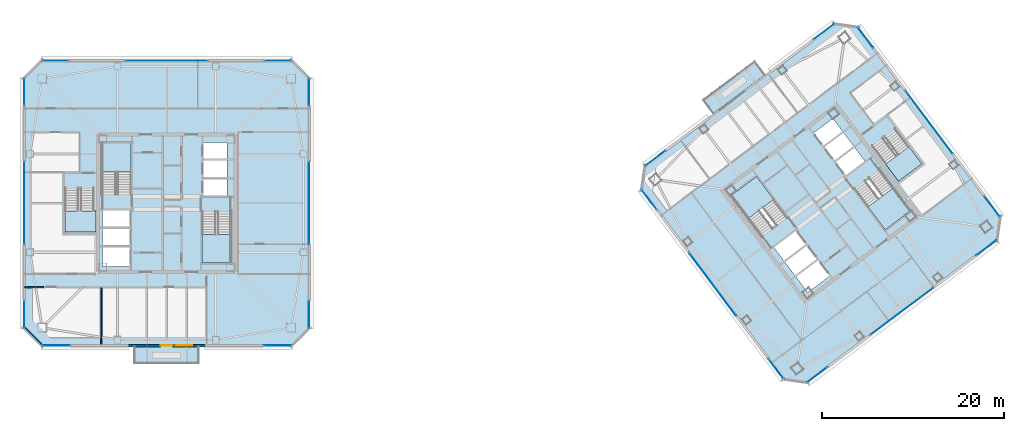
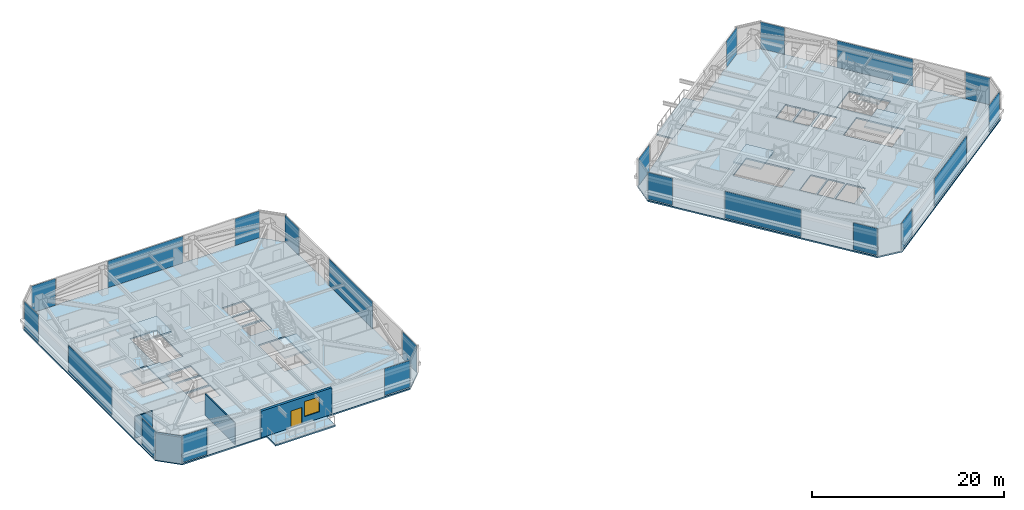
# One storey, part 25 of 36: 22 plates, 10 slabs, 4 walls, 1 door, 1 window, 2 openings, 28 elements without a shape of their own.
"""IFC4 building model written with IfcOpenShell, lengths in metres."""

from ifc_helpers import new_model, si_unit, direction, frame, frame_2d, origin, origin_2d, place, context, subcontext, project, spatial, polyline, rectangle, outline, extrude, material, layer, layer_set, type_object, element, fill, aggregate, save


model = new_model("IFC4")

# Units and contexts
model_context = context("Model", 3, precision=1e-05, world=origin(), true_north=direction((0.0, 1.0)))
body_context = subcontext(model_context, "Body", "Model", "MODEL_VIEW")
ifc_project = project(units=[si_unit("LENGTHUNIT", "METRE"), si_unit("AREAUNIT", "SQUARE_METRE"), si_unit("VOLUMEUNIT", "CUBIC_METRE"), si_unit("PLANEANGLEUNIT", "RADIAN"), si_unit("MASSUNIT", "GRAM", prefix="KILO")], contexts=[model_context])

# Site, building, storey
site_placement = place(None, origin())
site = spatial("IfcSite", under=ifc_project, at=site_placement, CompositionType="ELEMENT")
building_placement = place(site_placement, origin())
building = spatial("IfcBuilding", under=site, at=building_placement, Name="Tashvorn Skyway Center", CompositionType="ELEMENT")
storey_placement = place(building_placement, frame((0.0, 0.0, 236.14990234375)))
storey = spatial("IfcBuildingStorey", under=building, at=storey_placement, Name="L64", CompositionType="ELEMENT", Elevation=236.14990234375)

# Curtain wall, plate
ifc_material_1 = material(Name="Thermally broken bronze-anodized aluminium 6063-T6", Category="aluminium")
curtain_wall_type = type_object("IfcCurtainWallType", Name="CW-CW-Z5", PredefinedType="NOTDEFINED", material=ifc_material_1)
curtain_wall_1_placement = place(storey_placement, origin())
curtain_wall_1 = element("IfcCurtainWall", 1, at=curtain_wall_1_placement, inside=storey, type_object=curtain_wall_type, Name="Tower 1 L64 South Curtain Wall L Glazing Group 1", PredefinedType="NOTDEFINED")
ifc_material_2 = material(Name="Low-E solar-control double insulating safety glass", Category="glass")
ifc_layer_1 = layer(ifc_material_2, 0.031982421875)
ifc_layer_set_1 = layer_set([ifc_layer_1], Name="Low-E solar-control double insulating safety glass")
plate_type = type_object("IfcPlateType", Name="CWP-CW-Z5", PredefinedType="CURTAIN_PANEL", material=ifc_layer_set_1)
plate_1_placement = place(storey_placement, frame((54.191650390625, 16.320068359375, 0.0703125), z_axis=(0.0, 0.0, 1.0), x_axis=(-1.0, 0.0, 0.0)))
plate_1 = element("IfcPlate", 2, at=plate_1_placement, type_object=plate_type, Name="CW-Z5 panel 1.1", PredefinedType="CURTAIN_PANEL", context=body_context, shape_type="SweptSolid", body=[
    extrude(rectangle(XDim=3.03662109375, YDim=0.031982421875, at=origin_2d()), origin(), (0.0, 0.0, 1.0), 3.409912109375),
])
aggregate(curtain_wall_1, [plate_1])

curtain_wall_2_placement = place(storey_placement, origin())
curtain_wall_2 = element("IfcCurtainWall", 3, at=curtain_wall_2_placement, inside=storey, type_object=curtain_wall_type, Name="Tower 1 L64 South Curtain Wall R Glazing Group 1", PredefinedType="NOTDEFINED")
plate_2_placement = place(storey_placement, frame((29.808349609375, 16.320068359375, 0.0703125), z_axis=(0.0, 0.0, 1.0), x_axis=(-1.0, 0.0, 0.0)))
plate_2 = element("IfcPlate", 4, at=plate_2_placement, type_object=plate_type, Name="CW-Z5 panel 1.1", PredefinedType="CURTAIN_PANEL", context=body_context, shape_type="SweptSolid", body=[
    extrude(rectangle(XDim=3.03662109375, YDim=0.031982421875, at=origin_2d()), origin(), (0.0, 0.0, 1.0), 3.409912109375),
])
aggregate(curtain_wall_2, [plate_2])

curtain_wall_3_placement = place(storey_placement, origin())
curtain_wall_3 = element("IfcCurtainWall", 5, at=curtain_wall_3_placement, inside=storey, type_object=curtain_wall_type, Name="Tower 1 L64 West Unitised Curtain Wall Glazing Group 1", PredefinedType="NOTDEFINED")
plate_3_placement = place(storey_placement, frame((26.320068359375, 19.751220703125, 0.0703125), z_axis=(0.0, 0.0, 1.0), x_axis=(0.0, 1.0, 0.0)))
plate_3 = element("IfcPlate", 6, at=plate_3_placement, type_object=plate_type, Name="CW-Z5 panel 1.1", PredefinedType="CURTAIN_PANEL", context=body_context, shape_type="SweptSolid", body=[
    extrude(rectangle(XDim=2.922119140625, YDim=0.031982421875, at=origin_2d()), origin(), (0.0, 0.0, 1.0), 3.409912109375),
])
aggregate(curtain_wall_3, [plate_3])

curtain_wall_4_placement = place(storey_placement, origin())
curtain_wall_4 = element("IfcCurtainWall", 7, at=curtain_wall_4_placement, inside=storey, type_object=curtain_wall_type, Name="Tower 1 L64 West Unitised Curtain Wall Glazing Group 2", PredefinedType="NOTDEFINED")
plate_4_placement = place(storey_placement, frame((26.320068359375, 32.0, 0.0703125), z_axis=(0.0, 0.0, 1.0), x_axis=(0.0, 1.0, 0.0)))
plate_4 = element("IfcPlate", 8, at=plate_4_placement, type_object=plate_type, Name="CW-Z5 panel 1.1", PredefinedType="CURTAIN_PANEL", context=body_context, shape_type="SweptSolid", body=[
    extrude(rectangle(XDim=9.046630859375, YDim=0.031982421875, at=origin_2d()), origin(), (0.0, 0.0, 1.0), 3.409912109375),
])
aggregate(curtain_wall_4, [plate_4])

curtain_wall_5_placement = place(storey_placement, origin())
curtain_wall_5 = element("IfcCurtainWall", 9, at=curtain_wall_5_placement, inside=storey, type_object=curtain_wall_type, Name="Tower 1 L64 West Unitised Curtain Wall Glazing Group 3", PredefinedType="NOTDEFINED")
plate_5_placement = place(storey_placement, frame((26.320068359375, 44.248779296875, 0.0703125), z_axis=(0.0, 0.0, 1.0), x_axis=(0.0, 1.0, 0.0)))
plate_5 = element("IfcPlate", 10, at=plate_5_placement, type_object=plate_type, Name="CW-Z5 panel 1.1", PredefinedType="CURTAIN_PANEL", context=body_context, shape_type="SweptSolid", body=[
    extrude(rectangle(XDim=2.922119140625, YDim=0.031982421875, at=origin_2d()), origin(), (0.0, 0.0, 1.0), 3.409912109375),
])
aggregate(curtain_wall_5, [plate_5])

curtain_wall_6_placement = place(storey_placement, origin())
curtain_wall_6 = element("IfcCurtainWall", 11, at=curtain_wall_6_placement, inside=storey, type_object=curtain_wall_type, Name="Tower 1 L64 North Unitised Curtain Wall Glazing Group 1", PredefinedType="NOTDEFINED")
plate_6_placement = place(storey_placement, frame((29.751220703125, 47.679931640625, 0.0703125), z_axis=(0.0, 0.0, 1.0), x_axis=(1.0, 0.0, 0.0)))
plate_6 = element("IfcPlate", 12, at=plate_6_placement, type_object=plate_type, Name="CW-Z5 panel 1.1", PredefinedType="CURTAIN_PANEL", context=body_context, shape_type="SweptSolid", body=[
    extrude(rectangle(XDim=2.922119140625, YDim=0.031982421875, at=origin_2d()), origin(), (0.0, 0.0, 1.0), 3.409912109375),
])
aggregate(curtain_wall_6, [plate_6])

curtain_wall_7_placement = place(storey_placement, origin())
curtain_wall_7 = element("IfcCurtainWall", 13, at=curtain_wall_7_placement, inside=storey, type_object=curtain_wall_type, Name="Tower 1 L64 North Unitised Curtain Wall Glazing Group 2", PredefinedType="NOTDEFINED")
plate_7_placement = place(storey_placement, frame((42.0, 47.679931640625, 0.0703125), z_axis=(0.0, 0.0, 1.0), x_axis=(1.0, 0.0, 0.0)))
plate_7 = element("IfcPlate", 14, at=plate_7_placement, type_object=plate_type, Name="CW-Z5 panel 1.1", PredefinedType="CURTAIN_PANEL", context=body_context, shape_type="SweptSolid", body=[
    extrude(rectangle(XDim=9.046630859375, YDim=0.031982421875, at=origin_2d()), origin(), (0.0, 0.0, 1.0), 3.409912109375),
])
aggregate(curtain_wall_7, [plate_7])

curtain_wall_8_placement = place(storey_placement, origin())
curtain_wall_8 = element("IfcCurtainWall", 15, at=curtain_wall_8_placement, inside=storey, type_object=curtain_wall_type, Name="Tower 1 L64 North Unitised Curtain Wall Glazing Group 3", PredefinedType="NOTDEFINED")
plate_8_placement = place(storey_placement, frame((54.248779296875, 47.679931640625, 0.0703125), z_axis=(0.0, 0.0, 1.0), x_axis=(1.0, 0.0, 0.0)))
plate_8 = element("IfcPlate", 16, at=plate_8_placement, type_object=plate_type, Name="CW-Z5 panel 1.1", PredefinedType="CURTAIN_PANEL", context=body_context, shape_type="SweptSolid", body=[
    extrude(rectangle(XDim=2.922119140625, YDim=0.031982421875, at=origin_2d()), origin(), (0.0, 0.0, 1.0), 3.409912109375),
])
aggregate(curtain_wall_8, [plate_8])

curtain_wall_9_placement = place(storey_placement, origin())
curtain_wall_9 = element("IfcCurtainWall", 17, at=curtain_wall_9_placement, inside=storey, type_object=curtain_wall_type, Name="Tower 1 L64 East Unitised Curtain Wall Glazing Group 1", PredefinedType="NOTDEFINED")
plate_9_placement = place(storey_placement, frame((57.679931640625, 44.248779296875, 0.0703125), z_axis=(0.0, 0.0, 1.0), x_axis=(0.0, -1.0, 0.0)))
plate_9 = element("IfcPlate", 18, at=plate_9_placement, type_object=plate_type, Name="CW-Z5 panel 1.1", PredefinedType="CURTAIN_PANEL", context=body_context, shape_type="SweptSolid", body=[
    extrude(rectangle(XDim=2.922119140625, YDim=0.031982421875, at=origin_2d()), origin(), (0.0, 0.0, 1.0), 3.409912109375),
])
aggregate(curtain_wall_9, [plate_9])

curtain_wall_10_placement = place(storey_placement, origin())
curtain_wall_10 = element("IfcCurtainWall", 19, at=curtain_wall_10_placement, inside=storey, type_object=curtain_wall_type, Name="Tower 1 L64 East Unitised Curtain Wall Glazing Group 2", PredefinedType="NOTDEFINED")
plate_10_placement = place(storey_placement, frame((57.679931640625, 32.0, 0.0703125), z_axis=(0.0, 0.0, 1.0), x_axis=(0.0, -1.0, 0.0)))
plate_10 = element("IfcPlate", 20, at=plate_10_placement, type_object=plate_type, Name="CW-Z5 panel 1.1", PredefinedType="CURTAIN_PANEL", context=body_context, shape_type="SweptSolid", body=[
    extrude(rectangle(XDim=9.046630859375, YDim=0.031982421875, at=origin_2d()), origin(), (0.0, 0.0, 1.0), 3.409912109375),
])
aggregate(curtain_wall_10, [plate_10])

curtain_wall_11_placement = place(storey_placement, origin())
curtain_wall_11 = element("IfcCurtainWall", 21, at=curtain_wall_11_placement, inside=storey, type_object=curtain_wall_type, Name="Tower 1 L64 East Unitised Curtain Wall Glazing Group 3", PredefinedType="NOTDEFINED")
plate_11_placement = place(storey_placement, frame((57.679931640625, 19.751220703125, 0.0703125), z_axis=(0.0, 0.0, 1.0), x_axis=(0.0, -1.0, 0.0)))
plate_11 = element("IfcPlate", 22, at=plate_11_placement, type_object=plate_type, Name="CW-Z5 panel 1.1", PredefinedType="CURTAIN_PANEL", context=body_context, shape_type="SweptSolid", body=[
    extrude(rectangle(XDim=2.922119140625, YDim=0.031982421875, at=origin_2d()), origin(), (0.0, 0.0, 1.0), 3.409912109375),
])
aggregate(curtain_wall_11, [plate_11])

curtain_wall_12_placement = place(storey_placement, origin())
curtain_wall_12 = element("IfcCurtainWall", 23, at=curtain_wall_12_placement, inside=storey, type_object=curtain_wall_type, Name="Tower 2 L64 South Unitised Curtain Wall Glazing Group 1", PredefinedType="NOTDEFINED")
plate_12_placement = place(storey_placement, frame((132.229248046875, 27.072021484375, 0.0703125), z_axis=(0.0, 0.0, 1.0), x_axis=(-0.799995871508, -0.600005504617, 0.0)))
plate_12 = element("IfcPlate", 24, at=plate_12_placement, type_object=plate_type, Name="CW-Z5 panel 1.1", PredefinedType="CURTAIN_PANEL", context=body_context, shape_type="SweptSolid", body=[
    extrude(rectangle(XDim=2.7666015625, YDim=0.031982421875, at=origin_2d()), origin(), (0.0, 0.0, 1.0), 3.409912109375),
])
aggregate(curtain_wall_12, [plate_12])

curtain_wall_13_placement = place(storey_placement, origin())
curtain_wall_13 = element("IfcCurtainWall", 25, at=curtain_wall_13_placement, inside=storey, type_object=curtain_wall_type, Name="Tower 2 L64 South Unitised Curtain Wall Glazing Group 2", PredefinedType="NOTDEFINED")
plate_13_placement = place(storey_placement, frame((122.927978515625, 20.095947265625, 0.0703125), z_axis=(0.0, 0.0, 1.0), x_axis=(-0.799999999998, -0.600000000002, 0.0)))
plate_13 = element("IfcPlate", 26, at=plate_13_placement, type_object=plate_type, Name="CW-Z5 panel 1.1", PredefinedType="CURTAIN_PANEL", context=body_context, shape_type="SweptSolid", body=[
    extrude(rectangle(XDim=8.580078125, YDim=0.031982421875, at=origin_2d()), origin(), (0.0, 0.0, 1.0), 3.409912109375),
])
aggregate(curtain_wall_13, [plate_13])

curtain_wall_14_placement = place(storey_placement, origin())
curtain_wall_14 = element("IfcCurtainWall", 27, at=curtain_wall_14_placement, inside=storey, type_object=curtain_wall_type, Name="Tower 2 L64 South Unitised Curtain Wall Glazing Group 3", PredefinedType="NOTDEFINED")
plate_14_placement = place(storey_placement, frame((113.626708984375, 13.1201171875, 0.0703125), z_axis=(0.0, 0.0, 1.0), x_axis=(-0.799995871508, -0.600005504617, 0.0)))
plate_14 = element("IfcPlate", 28, at=plate_14_placement, type_object=plate_type, Name="CW-Z5 panel 1.1", PredefinedType="CURTAIN_PANEL", context=body_context, shape_type="SweptSolid", body=[
    extrude(rectangle(XDim=2.7666015625, YDim=0.031982421875, at=origin_2d()), origin(), (0.0, 0.0, 1.0), 3.409912109375),
])
aggregate(curtain_wall_14, [plate_14])

curtain_wall_15_placement = place(storey_placement, origin())
curtain_wall_15 = element("IfcCurtainWall", 29, at=curtain_wall_15_placement, inside=storey, type_object=curtain_wall_type, Name="Tower 2 L64 West Unitised Curtain Wall Glazing Group 1", PredefinedType="NOTDEFINED")
plate_15_placement = place(storey_placement, frame((109.072021484375, 13.770751953125, 0.0703125), z_axis=(0.0, 0.0, 1.0), x_axis=(-0.600005504617, 0.799995871508, 0.0)))
plate_15 = element("IfcPlate", 30, at=plate_15_placement, type_object=plate_type, Name="CW-Z5 panel 1.1", PredefinedType="CURTAIN_PANEL", context=body_context, shape_type="SweptSolid", body=[
    extrude(rectangle(XDim=2.7666015625, YDim=0.031982421875, at=origin_2d()), origin(), (0.0, 0.0, 1.0), 3.409912109375),
])
aggregate(curtain_wall_15, [plate_15])

curtain_wall_16_placement = place(storey_placement, origin())
curtain_wall_16 = element("IfcCurtainWall", 31, at=curtain_wall_16_placement, inside=storey, type_object=curtain_wall_type, Name="Tower 2 L64 West Unitised Curtain Wall Glazing Group 2", PredefinedType="NOTDEFINED")
plate_16_placement = place(storey_placement, frame((102.095947265625, 23.072021484375, 0.0703125), z_axis=(0.0, 0.0, 1.0), x_axis=(-0.600000000002, 0.799999999998, 0.0)))
plate_16 = element("IfcPlate", 32, at=plate_16_placement, type_object=plate_type, Name="CW-Z5 panel 1.1", PredefinedType="CURTAIN_PANEL", context=body_context, shape_type="SweptSolid", body=[
    extrude(rectangle(XDim=8.580078125, YDim=0.031982421875, at=origin_2d()), origin(), (0.0, 0.0, 1.0), 3.409912109375),
])
aggregate(curtain_wall_16, [plate_16])

curtain_wall_17_placement = place(storey_placement, origin())
curtain_wall_17 = element("IfcCurtainWall", 33, at=curtain_wall_17_placement, inside=storey, type_object=curtain_wall_type, Name="Tower 2 L64 West Unitised Curtain Wall Glazing Group 3", PredefinedType="NOTDEFINED")
plate_17_placement = place(storey_placement, frame((95.1201171875, 32.373291015625, 0.0703125), z_axis=(0.0, 0.0, 1.0), x_axis=(-0.600005504617, 0.799995871508, 0.0)))
plate_17 = element("IfcPlate", 34, at=plate_17_placement, type_object=plate_type, Name="CW-Z5 panel 1.1", PredefinedType="CURTAIN_PANEL", context=body_context, shape_type="SweptSolid", body=[
    extrude(rectangle(XDim=2.7666015625, YDim=0.031982421875, at=origin_2d()), origin(), (0.0, 0.0, 1.0), 3.409912109375),
])
aggregate(curtain_wall_17, [plate_17])

curtain_wall_18_placement = place(storey_placement, origin())
curtain_wall_18 = element("IfcCurtainWall", 35, at=curtain_wall_18_placement, inside=storey, type_object=curtain_wall_type, Name="Tower 2 L64 North Curtain Wall L Glazing Group 1", PredefinedType="NOTDEFINED")
plate_18_placement = place(storey_placement, frame((95.785400390625, 36.93896484375, 0.0703125), z_axis=(0.0, 0.0, 1.0), x_axis=(0.80000407695, 0.599994564028, 0.0)))
plate_18 = element("IfcPlate", 36, at=plate_18_placement, type_object=plate_type, Name="CW-Z5 panel 1.1", PredefinedType="CURTAIN_PANEL", context=body_context, shape_type="SweptSolid", body=[
    extrude(rectangle(XDim=2.803466796875, YDim=0.031982421875, at=origin_2d()), origin(), (0.0, 0.0, 1.0), 3.409912109375),
])
aggregate(curtain_wall_18, [plate_18])

curtain_wall_19_placement = place(storey_placement, origin())
curtain_wall_19 = element("IfcCurtainWall", 37, at=curtain_wall_19_placement, inside=storey, type_object=curtain_wall_type, Name="Tower 2 L64 North Curtain Wall R Glazing Group 1", PredefinedType="NOTDEFINED")
plate_19_placement = place(storey_placement, frame((114.358642578125, 50.868896484375, 0.0703125), z_axis=(0.0, 0.0, 1.0), x_axis=(0.80000407695, 0.599994564028, 0.0)))
plate_19 = element("IfcPlate", 38, at=plate_19_placement, type_object=plate_type, Name="CW-Z5 panel 1.1", PredefinedType="CURTAIN_PANEL", context=body_context, shape_type="SweptSolid", body=[
    extrude(rectangle(XDim=2.803466796875, YDim=0.031982421875, at=origin_2d()), origin(), (0.0, 0.0, 1.0), 3.409912109375),
])
aggregate(curtain_wall_19, [plate_19])

curtain_wall_20_placement = place(storey_placement, origin())
curtain_wall_20 = element("IfcCurtainWall", 39, at=curtain_wall_20_placement, inside=storey, type_object=curtain_wall_type, Name="Tower 2 L64 East Unitised Curtain Wall Glazing Group 1", PredefinedType="NOTDEFINED")
plate_20_placement = place(storey_placement, frame((118.927978515625, 50.229248046875, 0.0703125), z_axis=(0.0, 0.0, 1.0), x_axis=(0.600005504617, -0.799995871508, 0.0)))
plate_20 = element("IfcPlate", 40, at=plate_20_placement, type_object=plate_type, Name="CW-Z5 panel 1.1", PredefinedType="CURTAIN_PANEL", context=body_context, shape_type="SweptSolid", body=[
    extrude(rectangle(XDim=2.7666015625, YDim=0.031982421875, at=origin_2d()), origin(), (0.0, 0.0, 1.0), 3.409912109375),
])
aggregate(curtain_wall_20, [plate_20])

curtain_wall_21_placement = place(storey_placement, origin())
curtain_wall_21 = element("IfcCurtainWall", 41, at=curtain_wall_21_placement, inside=storey, type_object=curtain_wall_type, Name="Tower 2 L64 East Unitised Curtain Wall Glazing Group 2", PredefinedType="NOTDEFINED")
plate_21_placement = place(storey_placement, frame((125.904052734375, 40.927978515625, 0.0703125), z_axis=(0.0, 0.0, 1.0), x_axis=(0.600000000002, -0.799999999998, 0.0)))
plate_21 = element("IfcPlate", 42, at=plate_21_placement, type_object=plate_type, Name="CW-Z5 panel 1.1", PredefinedType="CURTAIN_PANEL", context=body_context, shape_type="SweptSolid", body=[
    extrude(rectangle(XDim=8.580078125, YDim=0.031982421875, at=origin_2d()), origin(), (0.0, 0.0, 1.0), 3.409912109375),
])
aggregate(curtain_wall_21, [plate_21])

curtain_wall_22_placement = place(storey_placement, origin())
curtain_wall_22 = element("IfcCurtainWall", 43, at=curtain_wall_22_placement, inside=storey, type_object=curtain_wall_type, Name="Tower 2 L64 East Unitised Curtain Wall Glazing Group 3", PredefinedType="NOTDEFINED")
plate_22_placement = place(storey_placement, frame((132.8798828125, 31.626708984375, 0.0703125), z_axis=(0.0, 0.0, 1.0), x_axis=(0.600005504617, -0.799995871508, 0.0)))
plate_22 = element("IfcPlate", 44, at=plate_22_placement, type_object=plate_type, Name="CW-Z5 panel 1.1", PredefinedType="CURTAIN_PANEL", context=body_context, shape_type="SweptSolid", body=[
    extrude(rectangle(XDim=2.7666015625, YDim=0.031982421875, at=origin_2d()), origin(), (0.0, 0.0, 1.0), 3.409912109375),
])
aggregate(curtain_wall_22, [plate_22])

# Slabs
ifc_material_3 = material(Name="Concrete C40/50", Category="concrete")
ifc_layer_2 = layer(ifc_material_3, 0.179931640625)
ifc_layer_set_2 = layer_set([ifc_layer_2], Name="Concrete C40/50")
slab_type_1 = type_object("IfcSlabType", Name="SLAB-FLR-180", PredefinedType="FLOOR", material=ifc_layer_set_2)
slab_1_placement = place(storey_placement, frame((0.0, 0.0, -0.179931640625)))
element("IfcSlab", 45, at=slab_1_placement, inside=storey, type_object=slab_type_1, Name="Tower 1 L64 Composite Floor Slab", PredefinedType="FLOOR", context=body_context, shape_type="SweptSolid", body=[
    extrude(outline(polyline([(28.300048828125, 16.199951171875), (55.699951171875, 16.199951171875), (57.800048828125, 18.300048828125), (57.800048828125, 45.699951171875), (55.699951171875, 47.800048828125), (28.300048828125, 47.800048828125), (26.199951171875, 45.699951171875), (26.199951171875, 18.300048828125), (28.300048828125, 16.199951171875)]), holes=[polyline([(38.10009765625, 33.080078125), (38.10009765625, 38.60009765625), (34.89990234375, 38.60009765625), (34.89990234375, 33.080078125), (38.10009765625, 33.080078125)]), polyline([(45.89990234375, 30.919921875), (45.89990234375, 25.39990234375), (49.10009765625, 25.39990234375), (49.10009765625, 30.919921875), (45.89990234375, 30.919921875)]), polyline([(30.800048828125, 33.52001953125), (30.800048828125, 28.800048828125), (34.0, 28.800048828125), (34.0, 33.52001953125), (30.800048828125, 33.52001953125)]), polyline([(34.949951171875, 29.35009765625), (37.949951171875, 29.35009765625), (37.949951171875, 31.199951171875), (34.949951171875, 31.199951171875), (34.949951171875, 29.35009765625)]), polyline([(34.949951171875, 27.35009765625), (37.949951171875, 27.35009765625), (37.949951171875, 29.199951171875), (34.949951171875, 29.199951171875), (34.949951171875, 27.35009765625)]), polyline([(34.949951171875, 25.0), (37.949951171875, 25.0), (37.949951171875, 27.14990234375), (34.949951171875, 27.14990234375), (34.949951171875, 25.0)]), polyline([(46.050048828125, 32.800048828125), (48.64990234375, 32.800048828125), (48.64990234375, 34.64990234375), (46.050048828125, 34.64990234375), (46.050048828125, 32.800048828125)]), polyline([(46.050048828125, 34.85009765625), (48.64990234375, 34.85009765625), (48.64990234375, 36.699951171875), (46.050048828125, 36.699951171875), (46.050048828125, 34.85009765625)]), polyline([(46.050048828125, 36.89990234375), (48.64990234375, 36.89990234375), (48.64990234375, 38.64990234375), (46.050048828125, 38.64990234375), (46.050048828125, 36.89990234375)])]), origin(), (0.0, 0.0, 1.0), 0.179931640625),
])
slab_2_placement = place(storey_placement, frame((0.0, 0.0, -0.179931640625)))
element("IfcSlab", 46, at=slab_2_placement, inside=storey, type_object=slab_type_1, Name="Tower 2 L64 Composite Floor Slab", PredefinedType="FLOOR", context=body_context, shape_type="SweptSolid", body=[
    extrude(outline(polyline([(112.60009765625, 12.199951171875), (133.39990234375, 27.800048828125), (133.800048828125, 30.60009765625), (118.199951171875, 51.39990234375), (115.39990234375, 51.800048828125), (94.60009765625, 36.199951171875), (94.199951171875, 33.39990234375), (109.800048828125, 12.60009765625), (112.60009765625, 12.199951171875)]), holes=[polyline([(110.23193359375, 30.52392578125), (106.919921875, 34.93994140625), (104.135986328125, 32.85205078125), (107.447998046875, 28.43603515625), (110.23193359375, 30.52392578125)]), polyline([(117.76806640625, 33.47607421875), (121.080078125, 29.06005859375), (123.864013671875, 31.14794921875), (120.552001953125, 35.56396484375), (117.76806640625, 33.47607421875)]), polyline([(119.7119140625, 38.18408203125), (122.5439453125, 34.407958984375), (125.10400390625, 36.327880859375), (122.27197265625, 40.10400390625), (119.7119140625, 38.18408203125)]), polyline([(109.949951171875, 25.64990234375), (112.35009765625, 27.449951171875), (111.239990234375, 28.929931640625), (108.840087890625, 27.1298828125), (109.949951171875, 25.64990234375)]), polyline([(111.14990234375, 24.050048828125), (113.550048828125, 25.85009765625), (112.43994140625, 27.330078125), (110.0400390625, 25.530029296875), (111.14990234375, 24.050048828125)]), polyline([(112.56005859375, 22.169921875), (114.9599609375, 23.969970703125), (113.669921875, 25.68994140625), (111.27001953125, 23.889892578125), (112.56005859375, 22.169921875)]), polyline([(116.760009765625, 35.070068359375), (118.840087890625, 36.6298828125), (117.72998046875, 38.110107421875), (115.64990234375, 36.550048828125), (116.760009765625, 35.070068359375)]), polyline([(115.530029296875, 36.7099609375), (117.610107421875, 38.27001953125), (116.5, 39.75), (114.419921875, 38.18994140625), (115.530029296875, 36.7099609375)]), polyline([(114.300048828125, 38.35009765625), (116.3798828125, 39.909912109375), (115.330078125, 41.31005859375), (113.25, 39.75), (114.300048828125, 38.35009765625)])]), origin(), (0.0, 0.0, 1.0), 0.179931640625),
])

# Stair, slab
stair_type = type_object("IfcStairType", Name="STAIR-CORE-1500", PredefinedType="HALF_TURN_STAIR", material=ifc_material_3)
stair_1_placement = place(storey_placement, origin())
stair_1 = element("IfcStair", 47, at=stair_1_placement, inside=storey, type_object=stair_type, Name="L64 Tower 1 Exit Stair 1", PredefinedType="HALF_TURN_STAIR")
ifc_layer_3 = layer(ifc_material_3, 0.199951171875)
ifc_layer_set_3 = layer_set([ifc_layer_3], Name="Concrete C40/50")
slab_type_2 = type_object("IfcSlabType", Name="SLAB-LAND-200", PredefinedType="LANDING", material=ifc_layer_set_3)
slab_3_placement = place(storey_placement, frame((0.0, 0.0, 1.5751953125)))
slab_3 = element("IfcSlab", 48, at=slab_3_placement, type_object=slab_type_2, Name="ST-T1-1 landing 1", PredefinedType="LANDING", context=body_context, shape_type="SweptSolid", body=[
    extrude(outline(polyline([(38.10009765625, 35.43994140625), (38.10009765625, 38.60009765625), (34.89990234375, 38.60009765625), (34.89990234375, 35.43994140625), (38.10009765625, 35.43994140625)])), origin(), (0.0, 0.0, 1.0), 0.199951171875),
])
aggregate(stair_1, [slab_3])

stair_2_placement = place(storey_placement, origin())
stair_2 = element("IfcStair", 49, at=stair_2_placement, inside=storey, type_object=stair_type, Name="L64 Tower 1 Exit Stair 2", PredefinedType="HALF_TURN_STAIR")
slab_4_placement = place(storey_placement, frame((0.0, 0.0, 1.5751953125)))
slab_4 = element("IfcSlab", 50, at=slab_4_placement, type_object=slab_type_2, Name="ST-T1-2 landing 1", PredefinedType="LANDING", context=body_context, shape_type="SweptSolid", body=[
    extrude(outline(polyline([(45.89990234375, 28.56005859375), (45.89990234375, 25.39990234375), (49.10009765625, 25.39990234375), (49.10009765625, 28.56005859375), (45.89990234375, 28.56005859375)])), origin(), (0.0, 0.0, 1.0), 0.199951171875),
])
aggregate(stair_2, [slab_4])

stair_3_placement = place(storey_placement, origin())
stair_3 = element("IfcStair", 51, at=stair_3_placement, inside=storey, type_object=stair_type, Name="L64 Tower 2 Exit Stair 1", PredefinedType="HALF_TURN_STAIR")
slab_5_placement = place(storey_placement, frame((0.0, 0.0, 1.5751953125)))
slab_5 = element("IfcSlab", 52, at=slab_5_placement, type_object=slab_type_2, Name="ST-T2-1 landing 1", PredefinedType="LANDING", context=body_context, shape_type="SweptSolid", body=[
    extrude(outline(polyline([(108.82080078125, 32.405517578125), (106.919921875, 34.93994140625), (104.135986328125, 32.85205078125), (106.036865234375, 30.317626953125), (108.82080078125, 32.405517578125)])), origin(), (0.0, 0.0, 1.0), 0.199951171875),
])
aggregate(stair_3, [slab_5])

stair_4_placement = place(storey_placement, origin())
stair_4 = element("IfcStair", 53, at=stair_4_placement, inside=storey, type_object=stair_type, Name="L64 Tower 2 Exit Stair 2", PredefinedType="HALF_TURN_STAIR")
slab_6_placement = place(storey_placement, frame((0.0, 0.0, 1.5751953125)))
slab_6 = element("IfcSlab", 54, at=slab_6_placement, type_object=slab_type_2, Name="ST-T2-2 landing 1", PredefinedType="LANDING", context=body_context, shape_type="SweptSolid", body=[
    extrude(outline(polyline([(119.17919921875, 31.594482421875), (121.080078125, 29.06005859375), (123.864013671875, 31.14794921875), (121.963134765625, 33.682373046875), (119.17919921875, 31.594482421875)])), origin(), (0.0, 0.0, 1.0), 0.199951171875),
])
aggregate(stair_4, [slab_6])

stair_5_placement = place(storey_placement, origin())
stair_5 = element("IfcStair", 55, at=stair_5_placement, inside=storey, type_object=stair_type, Name="L64 Tower 1 Exit Stair 3", PredefinedType="HALF_TURN_STAIR")
slab_7_placement = place(storey_placement, frame((0.0, 0.0, 1.5751953125)))
slab_7 = element("IfcSlab", 56, at=slab_7_placement, type_object=slab_type_2, Name="ST-T1-3 landing 1", PredefinedType="LANDING", context=body_context, shape_type="SweptSolid", body=[
    extrude(outline(polyline([(30.800048828125, 31.159912109375), (30.800048828125, 28.800048828125), (34.199951171875, 28.800048828125), (34.199951171875, 31.159912109375), (30.800048828125, 31.159912109375)])), origin(), (0.0, 0.0, 1.0), 0.199951171875),
])
aggregate(stair_5, [slab_7])

stair_6_placement = place(storey_placement, origin())
stair_6 = element("IfcStair", 57, at=stair_6_placement, inside=storey, type_object=stair_type, Name="L64 Tower 2 Exit Stair 3", PredefinedType="HALF_TURN_STAIR")
slab_8_placement = place(storey_placement, frame((0.0, 0.0, 1.5751953125)))
slab_8 = element("IfcSlab", 58, at=slab_8_placement, type_object=slab_type_2, Name="ST-T2-3 landing 1", PredefinedType="LANDING", context=body_context, shape_type="SweptSolid", body=[
    extrude(outline(polyline([(121.123291015625, 36.302490234375), (122.5439453125, 34.407958984375), (125.10400390625, 36.327880859375), (123.68310546875, 38.222412109375), (121.123291015625, 36.302490234375)])), origin(), (0.0, 0.0, 1.0), 0.199951171875),
])
aggregate(stair_6, [slab_8])

# Slabs
ifc_layer_4 = layer(ifc_material_3, 0.179931640625)
ifc_layer_set_4 = layer_set([ifc_layer_4], Name="Concrete C40/50")
slab_type_3 = type_object("IfcSlabType", Name="SLAB-TERR-200", PredefinedType="FLOOR", material=ifc_layer_set_4)
slab_9_placement = place(storey_placement, frame((0.0, 0.0, -0.179931640625)))
element("IfcSlab", 59, at=slab_9_placement, inside=storey, type_object=slab_type_3, Name="Tower 1 L64 Spiral Planted Terrace Slab", PredefinedType="FLOOR", context=body_context, shape_type="SweptSolid", body=[
    extrude(outline(polyline([(38.39990234375, 14.300048828125), (45.60009765625, 14.300048828125), (45.60009765625, 16.2099609375), (38.39990234375, 16.2099609375), (38.39990234375, 14.300048828125)])), origin(), (0.0, 0.0, 1.0), 0.179931640625),
])
slab_10_placement = place(storey_placement, frame((0.0, 0.0, -0.179931640625)))
element("IfcSlab", 60, at=slab_10_placement, inside=storey, type_object=slab_type_3, Name="Tower 2 L64 Spiral Planted Terrace Slab", PredefinedType="FLOOR", context=body_context, shape_type="SweptSolid", body=[
    extrude(outline(polyline([(102.1259765625, 41.83203125), (107.885986328125, 46.152099609375), (106.739990234375, 47.679931640625), (100.97998046875, 43.360107421875), (102.1259765625, 41.83203125)])), origin(), (0.0, 0.0, 1.0), 0.179931640625),
])

# Wall, openings, door, window
ifc_material_4 = material(Name="Precast concrete C40/50", Category="concrete")
ifc_layer_5 = layer(ifc_material_4, 0.280029296875)
ifc_layer_set_5 = layer_set([ifc_layer_5], Name="Precast concrete C40/50")
wall_type_1 = type_object("IfcWallType", Name="WALL-EXT-280", PredefinedType="SOLIDWALL", material=ifc_layer_set_5)
wall_1_placement = place(storey_placement, frame((46.25, 16.320068359375, 0.0), z_axis=(0.0, 0.0, 1.0), x_axis=(-1.0, 0.0, 0.0)))
wall_1 = element("IfcWall", 61, at=wall_1_placement, inside=storey, type_object=wall_type_1, Name="Tower 1 L64 South Terrace Portal Wall", PredefinedType="SOLIDWALL", context=body_context, shape_type="SweptSolid", body=[
    extrude(rectangle(XDim=8.5, YDim=0.280029296875, at=frame_2d((4.25, 0.0))), origin(), (0.0, 0.0, 1.0), 3.3701171875),
])
opening_1_placement = place(wall_1_placement, frame((3.60009765625, 0.0, 0.0)))
opening_1 = element("IfcOpeningElement", 62, at=opening_1_placement, cuts=wall_1, Name="Opening D-TER-1300", PredefinedType="OPENING", context=body_context, shape_type="SweptSolid", body=[
    extrude(rectangle(XDim=1.300048828125, YDim=2.14990234375, at=frame_2d((0.64990234375, 1.074951171875))), frame((0.0, 0.14990234375, 0.0), z_axis=(0.0, -1.0, 0.0), x_axis=(1.0, 0.0, 0.0)), (0.0, 0.0, 1.0), 0.300048828125),
])
opening_2_placement = place(wall_1_placement, frame((1.4599609375, 0.0, 0.85009765625)))
opening_2 = element("IfcOpeningElement", 63, at=opening_2_placement, cuts=wall_1, Name="Opening WIN-1800", PredefinedType="OPENING", context=body_context, shape_type="SweptSolid", body=[
    extrude(rectangle(XDim=1.800048828125, YDim=1.919921875, at=frame_2d((0.89990234375, 0.9599609375))), frame((0.0, 0.14990234375, 0.0), z_axis=(0.0, -1.0, 0.0), x_axis=(1.0, 0.0, 0.0)), (0.0, 0.0, 1.0), 0.300048828125),
])
door_type = type_object("IfcDoorType", Name="DOOR-TERR-1300", OperationType="NOTDEFINED", PredefinedType="DOOR", material=ifc_material_1)
door_placement = place(opening_1_placement, origin())
door = element("IfcDoor", 64, at=door_placement, inside=storey, type_object=door_type, Name="Tower 1 L64 Terrace Access Door", OperationType="SINGLE_SWING_RIGHT", OverallHeight=2.14990234375, OverallWidth=1.300048828125, PredefinedType="DOOR", context=body_context, shape_type="SweptSolid", body=[
    extrude(rectangle(XDim=1.300048828125, YDim=2.14990234375, at=frame_2d((0.64990234375, 1.074951171875))), frame((0.0, 0.02490234375, 0.0), z_axis=(0.0, -1.0, 0.0), x_axis=(1.0, 0.0, 0.0)), (0.0, 0.0, 1.0), 0.050048828125),
])
fill(opening_1, door)
window_type = type_object("IfcWindowType", Name="WIN-TERR-1800", PartitioningType="SINGLE_PANEL", PredefinedType="WINDOW", material=ifc_material_2)
window_placement = place(opening_2_placement, origin())
window = element("IfcWindow", 65, at=window_placement, inside=storey, type_object=window_type, Name="Tower 1 L64 Terrace Window", OverallHeight=1.919921875, OverallWidth=1.800048828125, PartitioningType="SINGLE_PANEL", PredefinedType="WINDOW", context=body_context, shape_type="SweptSolid", body=[
    extrude(rectangle(XDim=1.800048828125, YDim=1.919921875, at=frame_2d((0.89990234375, 0.9599609375))), frame((0.0, 0.030029296875, 0.0), z_axis=(0.0, -1.0, 0.0), x_axis=(1.0, 0.0, 0.0)), (0.0, 0.0, 1.0), 0.06005859375),
])
fill(opening_2, window)

# Walls
wall_2_placement = place(storey_placement, frame((28.300048828125, 16.300048828125, 0.0), z_axis=(0.0, 0.0, 1.0), x_axis=(-0.707106781187, 0.707106781187, 0.0)))
element("IfcWall", 66, at=wall_2_placement, inside=storey, type_object=wall_type_1, Name="Tower 1 L64 SW Precast Chamfer Wall", PredefinedType="SOLIDWALL", context=body_context, shape_type="SweptSolid", body=[
    extrude(rectangle(XDim=2.828369140625, YDim=0.280029296875, at=frame_2d((1.4140625, 0.0))), origin(), (0.0, 0.0, 1.0), 3.3701171875),
])
ifc_material_5 = material(Name="Gypsum board on cold-formed steel stud framing", Category="steel")
ifc_layer_6 = layer(ifc_material_5, 0.110107421875)
ifc_layer_set_6 = layer_set([ifc_layer_6], Name="Gypsum board on cold-formed steel stud framing")
wall_type_2 = type_object("IfcWallType", Name="WALL-PART-110", PredefinedType="PARTITIONING", material=ifc_layer_set_6)
wall_3_placement = place(storey_placement, frame((34.800048828125, 16.469970703125, 0.0), z_axis=(0.0, 0.0, 1.0), x_axis=(0.0, 1.0, 0.0)))
element("IfcWall", 67, at=wall_3_placement, inside=storey, type_object=wall_type_2, Name="Tower 1 L64 South Suite Partition 1", PredefinedType="PARTITIONING", context=body_context, shape_type="SweptSolid", body=[
    extrude(rectangle(XDim=6.199951171875, YDim=0.110107421875, at=frame_2d((3.10009765625, 0.0))), origin(), (0.0, 0.0, 1.0), 2.72314453125),
])
ifc_layer_7 = layer(ifc_material_5, 0.135009765625)
ifc_layer_set_7 = layer_set([ifc_layer_7], Name="Gypsum board on cold-formed steel stud framing")
wall_type_3 = type_object("IfcWallType", Name="WALL-PART-135", PredefinedType="PARTITIONING", material=ifc_layer_set_7)
wall_4_placement = place(storey_placement, frame((26.320068359375, 22.75, 0.0), z_axis=(0.0, 0.0, 1.0), x_axis=(1.0, 0.0, 0.0)))
element("IfcWall", 68, at=wall_4_placement, inside=storey, type_object=wall_type_3, Name="Tower 1 L64 South-West Suite North Wall", PredefinedType="PARTITIONING", context=body_context, shape_type="SweptSolid", body=[
    extrude(rectangle(XDim=2.1298828125, YDim=0.135009765625, at=frame_2d((1.06494140625, 0.0))), origin(), (0.0, 0.0, 1.0), 2.72314453125),
])

save(model, "model.ifc")
